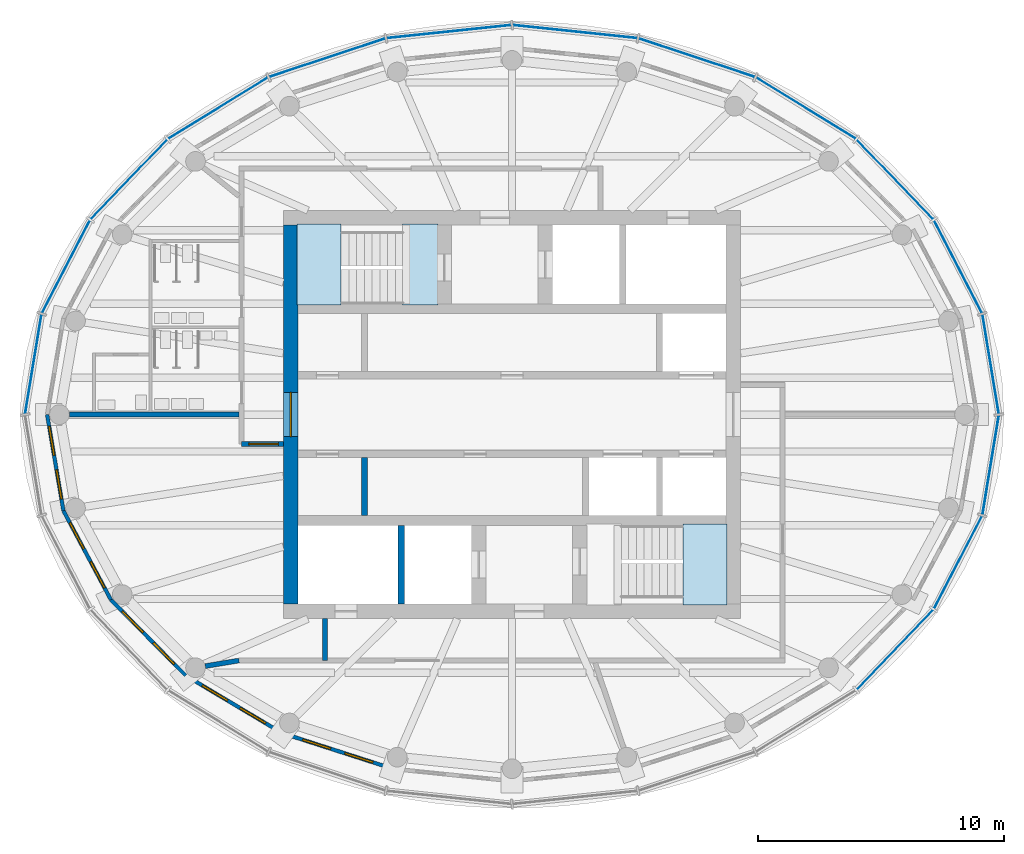
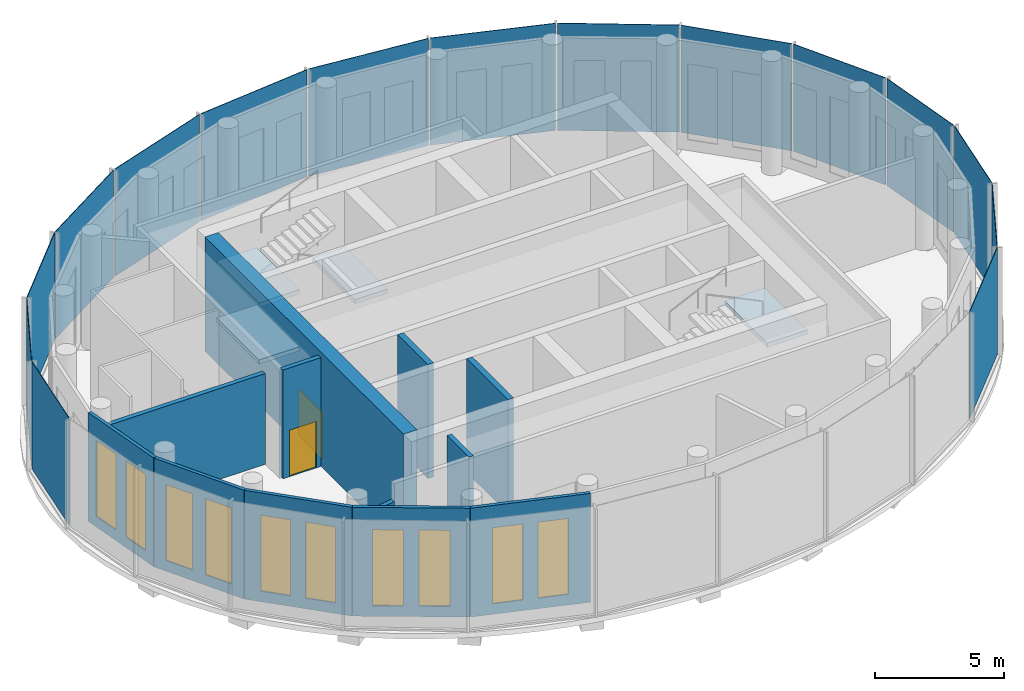
# One storey, part 4 of 11: 15 plates, 12 walls, 10 windows, 4 slabs, 2 doors, 12 openings, 5 elements without a shape of their own.
"""IFC4 building model written with IfcOpenShell, lengths in metres."""

from ifc_helpers import new_model, si_unit, direction, frame, frame_2d, origin, origin_2d, place, context, subcontext, project, spatial, polyline, rectangle, outline, extrude, material, layer, layer_set, type_object, element, fill, aggregate, save


model = new_model("IFC4")

# Units and contexts
model_context = context("Model", 3, precision=1e-05, world=origin(), true_north=direction((0.0, 1.0)))
body_context = subcontext(model_context, "Body", "Model", "MODEL_VIEW")
ifc_project = project(units=[si_unit("LENGTHUNIT", "METRE"), si_unit("AREAUNIT", "SQUARE_METRE"), si_unit("VOLUMEUNIT", "CUBIC_METRE"), si_unit("PLANEANGLEUNIT", "RADIAN"), si_unit("MASSUNIT", "GRAM", prefix="KILO")], contexts=[model_context])

# Site, building, storey
site_placement = place(None, origin())
site = spatial("IfcSite", under=ifc_project, at=site_placement, CompositionType="ELEMENT")
building_placement = place(site_placement, origin())
building = spatial("IfcBuilding", under=site, at=building_placement, Name="Hankou Lantern Tower", CompositionType="ELEMENT")
storey_placement = place(building_placement, frame((0.0, 0.0, 237.300048828125)))
storey = spatial("IfcBuildingStorey", under=building, at=storey_placement, Name="L64", CompositionType="ELEMENT", Elevation=237.300048828125)

# Curtain wall, plates
ifc_material_1 = material(Name="Glass, dark grey tinted laminated", Category="glass")
curtain_wall_type = type_object("IfcCurtainWallType", Name="CWE OUTER SKIN CROWN", PredefinedType="USERDEFINED", material=ifc_material_1)
curtain_wall_1_placement = place(storey_placement, origin())
curtain_wall_1 = element("IfcCurtainWall", 1, at=curtain_wall_1_placement, inside=storey, type_object=curtain_wall_type, Name="CWE L64 OS1", ObjectType="OUTER SKIN CROWN", PredefinedType="USERDEFINED")
ifc_material_2 = material(Name="Glass, dark grey tinted laminated", Category="glass")
ifc_layer_1 = layer(ifc_material_2, 0.028076171875)
ifc_layer_set_1 = layer_set([ifc_layer_1], Name="Glass, dark grey tinted laminated")
plate_type = type_object("IfcPlateType", Name="PN3 OUTER SKIN TALL GLASS PANEL", PredefinedType="CURTAIN_PANEL", material=ifc_layer_set_1)
plate_1_placement = place(storey_placement, frame((19.462646484375, 2.0498046875, 0.080078125), z_axis=(0.0, 0.0, 1.0), x_axis=(-0.162381515188, 0.986728049427, 0.0)))
plate_1 = element("IfcPlate", 2, at=plate_1_placement, type_object=plate_type, Name="CWE glass panel 1", PredefinedType="CURTAIN_PANEL", context=body_context, shape_type="SweptSolid", body=[
    extrude(rectangle(XDim=4.074951171875, YDim=0.028076171875, at=origin_2d()), origin(), (0.0, 0.0, 1.0), 5.070068359375),
])
plate_2_placement = place(storey_placement, frame((18.13623046875, 6.009765625, 0.080078125), z_axis=(0.0, 0.0, 1.0), x_axis=(-0.459791091957, 0.888027112062, 0.0)))
plate_2 = element("IfcPlate", 3, at=plate_2_placement, type_object=plate_type, Name="CWE glass panel 2", PredefinedType="CURTAIN_PANEL", context=body_context, shape_type="SweptSolid", body=[
    extrude(rectangle(XDim=4.221923828125, YDim=0.028076171875, at=origin_2d()), origin(), (0.0, 0.0, 1.0), 5.070068359375),
])
plate_3_placement = place(storey_placement, frame((15.573974609375, 9.560302734375, 0.080078125), z_axis=(0.0, 0.0, 1.0), x_axis=(-0.692215809936, 0.721690565599, 0.0)))
plate_3 = element("IfcPlate", 4, at=plate_3_placement, type_object=plate_type, Name="CWE glass panel 3", PredefinedType="CURTAIN_PANEL", context=body_context, shape_type="SweptSolid", body=[
    extrude(rectangle(XDim=4.465576171875, YDim=0.028076171875, at=origin_2d()), origin(), (0.0, 0.0, 1.0), 5.070068359375),
])
plate_4_placement = place(storey_placement, frame((11.950439453125, 12.459228515625, 0.080078125), z_axis=(0.0, 0.0, 1.0), x_axis=(-0.852237151549, 0.523155653242, 0.0)))
plate_4 = element("IfcPlate", 5, at=plate_4_placement, type_object=plate_type, Name="CWE glass panel 4", PredefinedType="CURTAIN_PANEL", context=body_context, shape_type="SweptSolid", body=[
    extrude(rectangle(XDim=4.731689453125, YDim=0.028076171875, at=origin_2d()), origin(), (0.0, 0.0, 1.0), 5.070068359375),
])
plate_5_placement = place(storey_placement, frame((7.51220703125, 14.509033203125, 0.080078125), z_axis=(0.0, 0.0, 1.0), x_axis=(-0.949240677293, 0.31455068999, 0.0)))
plate_5 = element("IfcPlate", 6, at=plate_5_placement, type_object=plate_type, Name="CWE glass panel 5", PredefinedType="CURTAIN_PANEL", context=body_context, shape_type="SweptSolid", body=[
    extrude(rectangle(XDim=4.95068359375, YDim=0.028076171875, at=origin_2d()), origin(), (0.0, 0.0, 1.0), 5.070068359375),
])
plate_6_placement = place(storey_placement, frame((2.562255859375, 15.570068359375, 0.080078125), z_axis=(0.0, 0.0, 1.0), x_axis=(-0.994499359107, 0.104742659579, 0.0)))
plate_6 = element("IfcPlate", 7, at=plate_6_placement, type_object=plate_type, Name="CWE glass panel 6", PredefinedType="CURTAIN_PANEL", context=body_context, shape_type="SweptSolid", body=[
    extrude(rectangle(XDim=5.072998046875, YDim=0.028076171875, at=origin_2d()), origin(), (0.0, 0.0, 1.0), 5.070068359375),
])
aggregate(curtain_wall_1, [plate_1, plate_2, plate_3, plate_4, plate_5, plate_6])

curtain_wall_2_placement = place(storey_placement, origin())
curtain_wall_2 = element("IfcCurtainWall", 8, at=curtain_wall_2_placement, inside=storey, type_object=curtain_wall_type, Name="CWE L64 OS2", ObjectType="OUTER SKIN CROWN", PredefinedType="USERDEFINED")
plate_7_placement = place(storey_placement, frame((-2.562255859375, 15.570068359375, 0.080078125), z_axis=(0.0, 0.0, 1.0), x_axis=(-0.994499359107, -0.104742659579, 0.0)))
plate_7 = element("IfcPlate", 9, at=plate_7_placement, type_object=plate_type, Name="CWE glass panel 1", PredefinedType="CURTAIN_PANEL", context=body_context, shape_type="SweptSolid", body=[
    extrude(rectangle(XDim=5.072998046875, YDim=0.028076171875, at=origin_2d()), origin(), (0.0, 0.0, 1.0), 5.070068359375),
])
plate_8_placement = place(storey_placement, frame((-7.51220703125, 14.509033203125, 0.080078125), z_axis=(0.0, 0.0, 1.0), x_axis=(-0.949240677293, -0.31455068999, 0.0)))
plate_8 = element("IfcPlate", 10, at=plate_8_placement, type_object=plate_type, Name="CWE glass panel 2", PredefinedType="CURTAIN_PANEL", context=body_context, shape_type="SweptSolid", body=[
    extrude(rectangle(XDim=4.95068359375, YDim=0.028076171875, at=origin_2d()), origin(), (0.0, 0.0, 1.0), 5.070068359375),
])
plate_9_placement = place(storey_placement, frame((-11.950439453125, 12.459228515625, 0.080078125), z_axis=(0.0, 0.0, 1.0), x_axis=(-0.852237151549, -0.523155653242, 0.0)))
plate_9 = element("IfcPlate", 11, at=plate_9_placement, type_object=plate_type, Name="CWE glass panel 3", PredefinedType="CURTAIN_PANEL", context=body_context, shape_type="SweptSolid", body=[
    extrude(rectangle(XDim=4.731689453125, YDim=0.028076171875, at=origin_2d()), origin(), (0.0, 0.0, 1.0), 5.070068359375),
])
plate_10_placement = place(storey_placement, frame((-15.573974609375, 9.560302734375, 0.080078125), z_axis=(0.0, 0.0, 1.0), x_axis=(-0.692215809936, -0.721690565599, 0.0)))
plate_10 = element("IfcPlate", 12, at=plate_10_placement, type_object=plate_type, Name="CWE glass panel 4", PredefinedType="CURTAIN_PANEL", context=body_context, shape_type="SweptSolid", body=[
    extrude(rectangle(XDim=4.465576171875, YDim=0.028076171875, at=origin_2d()), origin(), (0.0, 0.0, 1.0), 5.070068359375),
])
plate_11_placement = place(storey_placement, frame((-18.13623046875, 6.009765625, 0.080078125), z_axis=(0.0, 0.0, 1.0), x_axis=(-0.459791091957, -0.888027112062, 0.0)))
plate_11 = element("IfcPlate", 13, at=plate_11_placement, type_object=plate_type, Name="CWE glass panel 5", PredefinedType="CURTAIN_PANEL", context=body_context, shape_type="SweptSolid", body=[
    extrude(rectangle(XDim=4.221923828125, YDim=0.028076171875, at=origin_2d()), origin(), (0.0, 0.0, 1.0), 5.070068359375),
])
plate_12_placement = place(storey_placement, frame((-19.462646484375, 2.0498046875, 0.080078125), z_axis=(0.0, 0.0, 1.0), x_axis=(-0.162381515188, -0.986728049427, 0.0)))
plate_12 = element("IfcPlate", 14, at=plate_12_placement, type_object=plate_type, Name="CWE glass panel 6", PredefinedType="CURTAIN_PANEL", context=body_context, shape_type="SweptSolid", body=[
    extrude(rectangle(XDim=4.074951171875, YDim=0.028076171875, at=origin_2d()), origin(), (0.0, 0.0, 1.0), 5.070068359375),
])
aggregate(curtain_wall_2, [plate_7, plate_8, plate_9, plate_10, plate_11, plate_12])

curtain_wall_3_placement = place(storey_placement, origin())
curtain_wall_3 = element("IfcCurtainWall", 15, at=curtain_wall_3_placement, inside=storey, type_object=curtain_wall_type, Name="CWE L64 OS4", ObjectType="OUTER SKIN CROWN", PredefinedType="USERDEFINED")
plate_13_placement = place(storey_placement, frame((15.573974609375, -9.560302734375, 0.080078125), z_axis=(0.0, 0.0, 1.0), x_axis=(0.692215809936, 0.721690565599, 0.0)))
plate_13 = element("IfcPlate", 16, at=plate_13_placement, type_object=plate_type, Name="CWE glass panel 4", PredefinedType="CURTAIN_PANEL", context=body_context, shape_type="SweptSolid", body=[
    extrude(rectangle(XDim=4.465576171875, YDim=0.028076171875, at=origin_2d()), origin(), (0.0, 0.0, 1.0), 5.070068359375),
])
plate_14_placement = place(storey_placement, frame((18.13623046875, -6.009765625, 0.080078125), z_axis=(0.0, 0.0, 1.0), x_axis=(0.459791091957, 0.888027112062, 0.0)))
plate_14 = element("IfcPlate", 17, at=plate_14_placement, type_object=plate_type, Name="CWE glass panel 5", PredefinedType="CURTAIN_PANEL", context=body_context, shape_type="SweptSolid", body=[
    extrude(rectangle(XDim=4.221923828125, YDim=0.028076171875, at=origin_2d()), origin(), (0.0, 0.0, 1.0), 5.070068359375),
])
plate_15_placement = place(storey_placement, frame((19.462646484375, -2.0498046875, 0.080078125), z_axis=(0.0, 0.0, 1.0), x_axis=(0.162381515188, 0.986728049427, 0.0)))
plate_15 = element("IfcPlate", 18, at=plate_15_placement, type_object=plate_type, Name="CWE glass panel 6", PredefinedType="CURTAIN_PANEL", context=body_context, shape_type="SweptSolid", body=[
    extrude(rectangle(XDim=4.074951171875, YDim=0.028076171875, at=origin_2d()), origin(), (0.0, 0.0, 1.0), 5.070068359375),
])
aggregate(curtain_wall_3, [plate_13, plate_14, plate_15])

# Stair, slabs
ifc_material_3 = material(Name="Concrete C40", Category="concrete")
stair_type = type_object("IfcStairType", Name="ST54 CORE STAIR 5400 RISE", PredefinedType="HALF_TURN_STAIR", material=ifc_material_3)
stair_1_placement = place(storey_placement, origin())
stair_1 = element("IfcStair", 19, at=stair_1_placement, inside=storey, type_object=stair_type, Name="Stair STA L64", PredefinedType="HALF_TURN_STAIR")
ifc_material_4 = material(Name="Concrete C40", Category="concrete")
ifc_layer_2 = layer(ifc_material_4, 0.199951171875)
ifc_layer_set_2 = layer_set([ifc_layer_2], Name="Concrete C40")
slab_type = type_object("IfcSlabType", Name="SL1 STAIR LANDING 200", PredefinedType="LANDING", material=ifc_layer_set_2)
slab_1_placement = place(storey_placement, frame((0.0, 0.0, 1.14990234375)))
slab_1 = element("IfcSlab", 20, at=slab_1_placement, type_object=slab_type, Name="STA landing 1", PredefinedType="LANDING", context=body_context, shape_type="SweptSolid", body=[
    extrude(outline(polyline([(-8.75, 4.449951171875), (-6.949951171875, 4.449951171875), (-6.949951171875, 7.75), (-8.75, 7.75), (-8.75, 4.449951171875)])), origin(), (0.0, 0.0, 1.0), 0.199951171875),
])
slab_2_placement = place(storey_placement, frame((0.0, 0.0, 2.5)))
slab_2 = element("IfcSlab", 21, at=slab_2_placement, type_object=slab_type, Name="STA landing 2", PredefinedType="LANDING", context=body_context, shape_type="SweptSolid", body=[
    extrude(outline(polyline([(-4.449951171875, 4.449951171875), (-3.0, 4.449951171875), (-3.0, 7.75), (-4.449951171875, 7.75), (-4.449951171875, 4.449951171875)])), origin(), (0.0, 0.0, 1.0), 0.199951171875),
])
slab_3_placement = place(storey_placement, frame((0.0, 0.0, 3.849853515625)))
slab_3 = element("IfcSlab", 22, at=slab_3_placement, type_object=slab_type, Name="STA landing 3", PredefinedType="LANDING", context=body_context, shape_type="SweptSolid", body=[
    extrude(outline(polyline([(-8.75, 4.449951171875), (-6.949951171875, 4.449951171875), (-6.949951171875, 7.75), (-8.75, 7.75), (-8.75, 4.449951171875)])), origin(), (0.0, 0.0, 1.0), 0.2001953125),
])
aggregate(stair_1, [slab_1, slab_2, slab_3])

# Stair, slab
stair_2_placement = place(storey_placement, origin())
stair_2 = element("IfcStair", 23, at=stair_2_placement, inside=storey, type_object=stair_type, Name="Stair STB L64", PredefinedType="HALF_TURN_STAIR")
slab_4_placement = place(storey_placement, frame((0.0, 0.0, 3.849853515625)))
slab_4 = element("IfcSlab", 24, at=slab_4_placement, type_object=slab_type, Name="STB landing 3", PredefinedType="LANDING", context=body_context, shape_type="SweptSolid", body=[
    extrude(outline(polyline([(8.75, -4.449951171875), (6.949951171875, -4.449951171875), (6.949951171875, -7.75), (8.75, -7.75), (8.75, -4.449951171875)])), origin(), (0.0, 0.0, 1.0), 0.2001953125),
])
aggregate(stair_2, [slab_4])

# Wall, opening, door
ifc_material_5 = material(Name="Concrete C60", Category="concrete")
ifc_layer_3 = layer(ifc_material_5, 0.60009765625)
ifc_layer_set_3 = layer_set([ifc_layer_3], Name="Concrete C60")
wall_type_1 = type_object("IfcWallType", Name="CW3 CORE WALL 600", PredefinedType="SHEAR", material=ifc_layer_set_3)
wall_1_placement = place(storey_placement, frame((-9.0, 7.699951171875, 0.0), z_axis=(0.0, 0.0, 1.0), x_axis=(0.0, -1.0, 0.0)))
wall_1 = element("IfcWall", 25, at=wall_1_placement, inside=storey, type_object=wall_type_1, Name="Core wall west L64", PredefinedType="SHEAR", context=body_context, shape_type="SweptSolid", body=[
    extrude(rectangle(XDim=15.39990234375, YDim=0.60009765625, at=frame_2d((7.699951171875, 0.0))), origin(), (0.0, 0.0, 1.0), 5.39990234375),
])
opening_1_placement = place(wall_1_placement, frame((6.800048828125, 0.0, 0.0)))
opening_1 = element("IfcOpeningElement", 26, at=opening_1_placement, cuts=wall_1, Name="Opening D6", PredefinedType="OPENING", context=body_context, shape_type="SweptSolid", body=[
    extrude(rectangle(XDim=1.800048828125, YDim=2.199951171875, at=frame_2d((0.89990234375, 1.10009765625))), frame((0.0, 0.31005859375, 0.0), z_axis=(0.0, -1.0, 0.0), x_axis=(1.0, 0.0, 0.0)), (0.0, 0.0, 1.0), 0.6201171875),
])
ifc_material_6 = material(Name="Steel door leaf", Category="steel")
door_type_1 = type_object("IfcDoorType", Name="D6 LIFT LOBBY DOOR 1800X2200", OperationType="DOUBLE_DOOR_DOUBLE_SWING", PredefinedType="DOOR", material=ifc_material_6)
door_1_placement = place(opening_1_placement, origin())
door_1 = element("IfcDoor", 27, at=door_1_placement, inside=storey, type_object=door_type_1, Name="Lift lobby west door", OperationType="DOUBLE_DOOR_DOUBLE_SWING", OverallHeight=2.199951171875, OverallWidth=1.800048828125, PredefinedType="DOOR", context=body_context, shape_type="SweptSolid", body=[
    extrude(rectangle(XDim=1.800048828125, YDim=2.199951171875, at=frame_2d((0.89990234375, 1.10009765625))), frame((0.0, 0.02490234375, 0.0), z_axis=(0.0, -1.0, 0.0), x_axis=(1.0, 0.0, 0.0)), (0.0, 0.0, 1.0), 0.050048828125),
])
fill(opening_1, door_1)

# Wall, openings, windows
ifc_material_7 = material(Name="Aluminium spandrel panel on steel studs", Category="steel")
ifc_layer_4 = layer(ifc_material_7, 0.14990234375)
ifc_layer_set_4 = layer_set([ifc_layer_4], Name="Aluminium spandrel panel on steel studs")
wall_type_2 = type_object("IfcWallType", Name="EW1 INNER SKIN WALL 150", PredefinedType="ELEMENTEDWALL", material=ifc_layer_set_4)
wall_2_placement = place(storey_placement, frame((-18.89990234375, 0.0, 0.0), z_axis=(0.0, 0.0, 1.0), x_axis=(0.166984464914, -0.985959526795, 0.0)))
wall_2 = element("IfcWall", 28, at=wall_2_placement, inside=storey, type_object=wall_type_2, Name="Inner skin R13-R14 L64", PredefinedType="ELEMENTEDWALL", context=body_context, shape_type="SweptSolid", body=[
    extrude(rectangle(XDim=3.965087890625, YDim=0.14990234375, at=frame_2d((1.982421875, 0.0))), origin(), (0.0, 0.0, 1.0), 5.14990234375),
])
opening_2_placement = place(wall_2_placement, frame((0.482666015625, 0.0, 0.5)))
opening_2 = element("IfcOpeningElement", 29, at=opening_2_placement, cuts=wall_2, Name="Opening W7", PredefinedType="OPENING", context=body_context, shape_type="SweptSolid", body=[
    extrude(rectangle(XDim=1.199951171875, YDim=3.60009765625, at=frame_2d((0.60009765625, 1.800048828125))), frame((0.0, 0.0849609375, 0.0), z_axis=(0.0, -1.0, 0.0), x_axis=(1.0, 0.0, 0.0)), (0.0, 0.0, 1.0), 0.169921875),
])
opening_3_placement = place(wall_2_placement, frame((2.282470703125, 0.0, 0.5)))
opening_3 = element("IfcOpeningElement", 30, at=opening_3_placement, cuts=wall_2, Name="Opening W7", PredefinedType="OPENING", context=body_context, shape_type="SweptSolid", body=[
    extrude(rectangle(XDim=1.199951171875, YDim=3.60009765625, at=frame_2d((0.60009765625, 1.800048828125))), frame((0.0, 0.0849609375, 0.0), z_axis=(0.0, -1.0, 0.0), x_axis=(1.0, 0.0, 0.0)), (0.0, 0.0, 1.0), 0.169921875),
])
ifc_material_8 = material(Name="Aluminium framed double glazed window", Category="aluminium")
window_type = type_object("IfcWindowType", Name="W7 RESTAURANT WINDOW 1200X3600", PartitioningType="DOUBLE_PANEL_VERTICAL", PredefinedType="WINDOW", material=ifc_material_8)
window_1_placement = place(opening_2_placement, origin())
window_1 = element("IfcWindow", 31, at=window_1_placement, inside=storey, type_object=window_type, Name="Window R13.1 L64", OverallHeight=3.60009765625, OverallWidth=1.199951171875, PartitioningType="SINGLE_PANEL", PredefinedType="WINDOW", context=body_context, shape_type="SweptSolid", body=[
    extrude(rectangle(XDim=1.199951171875, YDim=3.60009765625, at=frame_2d((0.60009765625, 1.800048828125))), frame((0.0, 0.030029296875, 0.0), z_axis=(0.0, -1.0, 0.0), x_axis=(1.0, 0.0, 0.0)), (0.0, 0.0, 1.0), 0.06005859375),
])
fill(opening_2, window_1)
window_2_placement = place(opening_3_placement, origin())
window_2 = element("IfcWindow", 32, at=window_2_placement, inside=storey, type_object=window_type, Name="Window R13.2 L64", OverallHeight=3.60009765625, OverallWidth=1.199951171875, PartitioningType="SINGLE_PANEL", PredefinedType="WINDOW", context=body_context, shape_type="SweptSolid", body=[
    extrude(rectangle(XDim=1.199951171875, YDim=3.60009765625, at=frame_2d((0.60009765625, 1.800048828125))), frame((0.0, 0.030029296875, 0.0), z_axis=(0.0, -1.0, 0.0), x_axis=(1.0, 0.0, 0.0)), (0.0, 0.0, 1.0), 0.06005859375),
])
fill(opening_3, window_2)

wall_3_placement = place(storey_placement, frame((-18.23779296875, -3.909423828125, 0.0), z_axis=(0.0, 0.0, 1.0), x_axis=(0.470282591286, -0.882515883332, 0.0)))
wall_3 = element("IfcWall", 33, at=wall_3_placement, inside=storey, type_object=wall_type_2, Name="Inner skin R14-R15 L64", PredefinedType="ELEMENTEDWALL", context=body_context, shape_type="SweptSolid", body=[
    extrude(rectangle(XDim=4.104736328125, YDim=0.14990234375, at=frame_2d((2.05224609375, 0.0))), origin(), (0.0, 0.0, 1.0), 5.14990234375),
])
opening_4_placement = place(wall_3_placement, frame((0.552490234375, 0.0, 0.5)))
opening_4 = element("IfcOpeningElement", 34, at=opening_4_placement, cuts=wall_3, Name="Opening W7", PredefinedType="OPENING", context=body_context, shape_type="SweptSolid", body=[
    extrude(rectangle(XDim=1.199951171875, YDim=3.60009765625, at=frame_2d((0.60009765625, 1.800048828125))), frame((0.0, 0.0849609375, 0.0), z_axis=(0.0, -1.0, 0.0), x_axis=(1.0, 0.0, 0.0)), (0.0, 0.0, 1.0), 0.169921875),
])
opening_5_placement = place(wall_3_placement, frame((2.3525390625, 0.0, 0.5)))
opening_5 = element("IfcOpeningElement", 35, at=opening_5_placement, cuts=wall_3, Name="Opening W7", PredefinedType="OPENING", context=body_context, shape_type="SweptSolid", body=[
    extrude(rectangle(XDim=1.199951171875, YDim=3.60009765625, at=frame_2d((0.60009765625, 1.800048828125))), frame((0.0, 0.0849609375, 0.0), z_axis=(0.0, -1.0, 0.0), x_axis=(1.0, 0.0, 0.0)), (0.0, 0.0, 1.0), 0.169921875),
])
window_3_placement = place(opening_4_placement, origin())
window_3 = element("IfcWindow", 36, at=window_3_placement, inside=storey, type_object=window_type, Name="Window R14.1 L64", OverallHeight=3.60009765625, OverallWidth=1.199951171875, PartitioningType="SINGLE_PANEL", PredefinedType="WINDOW", context=body_context, shape_type="SweptSolid", body=[
    extrude(rectangle(XDim=1.199951171875, YDim=3.60009765625, at=frame_2d((0.60009765625, 1.800048828125))), frame((0.0, 0.030029296875, 0.0), z_axis=(0.0, -1.0, 0.0), x_axis=(1.0, 0.0, 0.0)), (0.0, 0.0, 1.0), 0.06005859375),
])
fill(opening_4, window_3)
window_4_placement = place(opening_5_placement, origin())
window_4 = element("IfcWindow", 37, at=window_4_placement, inside=storey, type_object=window_type, Name="Window R14.2 L64", OverallHeight=3.60009765625, OverallWidth=1.199951171875, PartitioningType="SINGLE_PANEL", PredefinedType="WINDOW", context=body_context, shape_type="SweptSolid", body=[
    extrude(rectangle(XDim=1.199951171875, YDim=3.60009765625, at=frame_2d((0.60009765625, 1.800048828125))), frame((0.0, 0.030029296875, 0.0), z_axis=(0.0, -1.0, 0.0), x_axis=(1.0, 0.0, 0.0)), (0.0, 0.0, 1.0), 0.06005859375),
])
fill(opening_5, window_4)

wall_4_placement = place(storey_placement, frame((-16.307373046875, -7.531982421875, 0.0), z_axis=(0.0, 0.0, 1.0), x_axis=(0.702523956258, -0.711660095048, 0.0)))
wall_4 = element("IfcWall", 38, at=wall_4_placement, inside=storey, type_object=wall_type_2, Name="Inner skin R15-R16 L64", PredefinedType="ELEMENTEDWALL", context=body_context, shape_type="SweptSolid", body=[
    extrude(rectangle(XDim=4.3291015625, YDim=0.14990234375, at=frame_2d((2.16455078125, 0.0))), origin(), (0.0, 0.0, 1.0), 5.14990234375),
])
opening_6_placement = place(wall_4_placement, frame((0.66455078125, 0.0, 0.5)))
opening_6 = element("IfcOpeningElement", 39, at=opening_6_placement, cuts=wall_4, Name="Opening W7", PredefinedType="OPENING", context=body_context, shape_type="SweptSolid", body=[
    extrude(rectangle(XDim=1.199951171875, YDim=3.60009765625, at=frame_2d((0.60009765625, 1.800048828125))), frame((0.0, 0.0849609375, 0.0), z_axis=(0.0, -1.0, 0.0), x_axis=(1.0, 0.0, 0.0)), (0.0, 0.0, 1.0), 0.169921875),
])
opening_7_placement = place(wall_4_placement, frame((2.464599609375, 0.0, 0.5)))
opening_7 = element("IfcOpeningElement", 40, at=opening_7_placement, cuts=wall_4, Name="Opening W7", PredefinedType="OPENING", context=body_context, shape_type="SweptSolid", body=[
    extrude(rectangle(XDim=1.199951171875, YDim=3.60009765625, at=frame_2d((0.60009765625, 1.800048828125))), frame((0.0, 0.0849609375, 0.0), z_axis=(0.0, -1.0, 0.0), x_axis=(1.0, 0.0, 0.0)), (0.0, 0.0, 1.0), 0.169921875),
])
window_5_placement = place(opening_6_placement, origin())
window_5 = element("IfcWindow", 41, at=window_5_placement, inside=storey, type_object=window_type, Name="Window R15.1 L64", OverallHeight=3.60009765625, OverallWidth=1.199951171875, PartitioningType="SINGLE_PANEL", PredefinedType="WINDOW", context=body_context, shape_type="SweptSolid", body=[
    extrude(rectangle(XDim=1.199951171875, YDim=3.60009765625, at=frame_2d((0.60009765625, 1.800048828125))), frame((0.0, 0.030029296875, 0.0), z_axis=(0.0, -1.0, 0.0), x_axis=(1.0, 0.0, 0.0)), (0.0, 0.0, 1.0), 0.06005859375),
])
fill(opening_6, window_5)
window_6_placement = place(opening_7_placement, origin())
window_6 = element("IfcWindow", 42, at=window_6_placement, inside=storey, type_object=window_type, Name="Window R15.2 L64", OverallHeight=3.60009765625, OverallWidth=1.199951171875, PartitioningType="SINGLE_PANEL", PredefinedType="WINDOW", context=body_context, shape_type="SweptSolid", body=[
    extrude(rectangle(XDim=1.199951171875, YDim=3.60009765625, at=frame_2d((0.60009765625, 1.800048828125))), frame((0.0, 0.030029296875, 0.0), z_axis=(0.0, -1.0, 0.0), x_axis=(1.0, 0.0, 0.0)), (0.0, 0.0, 1.0), 0.06005859375),
])
fill(opening_7, window_6)

wall_5_placement = place(storey_placement, frame((-13.26611328125, -10.61279296875, 0.0), z_axis=(0.0, 0.0, 1.0), x_axis=(0.858849230109, -0.512228464594, 0.0)))
wall_5 = element("IfcWall", 43, at=wall_5_placement, inside=storey, type_object=wall_type_2, Name="Inner skin R16-R17 L64", PredefinedType="ELEMENTEDWALL", context=body_context, shape_type="SweptSolid", body=[
    extrude(rectangle(XDim=4.564208984375, YDim=0.14990234375, at=frame_2d((2.2822265625, 0.0))), origin(), (0.0, 0.0, 1.0), 5.14990234375),
])
opening_8_placement = place(wall_5_placement, frame((0.781982421875, 0.0, 0.5)))
opening_8 = element("IfcOpeningElement", 44, at=opening_8_placement, cuts=wall_5, Name="Opening W7", PredefinedType="OPENING", context=body_context, shape_type="SweptSolid", body=[
    extrude(rectangle(XDim=1.199951171875, YDim=3.60009765625, at=frame_2d((0.60009765625, 1.800048828125))), frame((0.0, 0.0849609375, 0.0), z_axis=(0.0, -1.0, 0.0), x_axis=(1.0, 0.0, 0.0)), (0.0, 0.0, 1.0), 0.169921875),
])
opening_9_placement = place(wall_5_placement, frame((2.58203125, 0.0, 0.5)))
opening_9 = element("IfcOpeningElement", 45, at=opening_9_placement, cuts=wall_5, Name="Opening W7", PredefinedType="OPENING", context=body_context, shape_type="SweptSolid", body=[
    extrude(rectangle(XDim=1.199951171875, YDim=3.60009765625, at=frame_2d((0.60009765625, 1.800048828125))), frame((0.0, 0.0849609375, 0.0), z_axis=(0.0, -1.0, 0.0), x_axis=(1.0, 0.0, 0.0)), (0.0, 0.0, 1.0), 0.169921875),
])
window_7_placement = place(opening_8_placement, origin())
window_7 = element("IfcWindow", 46, at=window_7_placement, inside=storey, type_object=window_type, Name="Window R16.1 L64", OverallHeight=3.60009765625, OverallWidth=1.199951171875, PartitioningType="SINGLE_PANEL", PredefinedType="WINDOW", context=body_context, shape_type="SweptSolid", body=[
    extrude(rectangle(XDim=1.199951171875, YDim=3.60009765625, at=frame_2d((0.60009765625, 1.800048828125))), frame((0.0, 0.030029296875, 0.0), z_axis=(0.0, -1.0, 0.0), x_axis=(1.0, 0.0, 0.0)), (0.0, 0.0, 1.0), 0.06005859375),
])
fill(opening_8, window_7)
window_8_placement = place(opening_9_placement, origin())
window_8 = element("IfcWindow", 47, at=window_8_placement, inside=storey, type_object=window_type, Name="Window R16.2 L64", OverallHeight=3.60009765625, OverallWidth=1.199951171875, PartitioningType="SINGLE_PANEL", PredefinedType="WINDOW", context=body_context, shape_type="SweptSolid", body=[
    extrude(rectangle(XDim=1.199951171875, YDim=3.60009765625, at=frame_2d((0.60009765625, 1.800048828125))), frame((0.0, 0.030029296875, 0.0), z_axis=(0.0, -1.0, 0.0), x_axis=(1.0, 0.0, 0.0)), (0.0, 0.0, 1.0), 0.06005859375),
])
fill(opening_9, window_8)

wall_6_placement = place(storey_placement, frame((-9.34619140625, -12.95068359375, 0.0), z_axis=(0.0, 0.0, 1.0), x_axis=(0.951881908824, -0.306465057804, 0.0)))
wall_6 = element("IfcWall", 48, at=wall_6_placement, inside=storey, type_object=wall_type_2, Name="Inner skin R17-R18 L64", PredefinedType="ELEMENTEDWALL", context=body_context, shape_type="SweptSolid", body=[
    extrude(rectangle(XDim=4.74951171875, YDim=0.14990234375, at=frame_2d((2.374755859375, 0.0))), origin(), (0.0, 0.0, 1.0), 5.14990234375),
])
opening_10_placement = place(wall_6_placement, frame((0.874755859375, 0.0, 0.5)))
opening_10 = element("IfcOpeningElement", 49, at=opening_10_placement, cuts=wall_6, Name="Opening W7", PredefinedType="OPENING", context=body_context, shape_type="SweptSolid", body=[
    extrude(rectangle(XDim=1.199951171875, YDim=3.60009765625, at=frame_2d((0.60009765625, 1.800048828125))), frame((0.0, 0.0849609375, 0.0), z_axis=(0.0, -1.0, 0.0), x_axis=(1.0, 0.0, 0.0)), (0.0, 0.0, 1.0), 0.169921875),
])
opening_11_placement = place(wall_6_placement, frame((2.6748046875, 0.0, 0.5)))
opening_11 = element("IfcOpeningElement", 50, at=opening_11_placement, cuts=wall_6, Name="Opening W7", PredefinedType="OPENING", context=body_context, shape_type="SweptSolid", body=[
    extrude(rectangle(XDim=1.199951171875, YDim=3.60009765625, at=frame_2d((0.60009765625, 1.800048828125))), frame((0.0, 0.0849609375, 0.0), z_axis=(0.0, -1.0, 0.0), x_axis=(1.0, 0.0, 0.0)), (0.0, 0.0, 1.0), 0.169921875),
])
window_9_placement = place(opening_10_placement, origin())
window_9 = element("IfcWindow", 51, at=window_9_placement, inside=storey, type_object=window_type, Name="Window R17.1 L64", OverallHeight=3.60009765625, OverallWidth=1.199951171875, PartitioningType="SINGLE_PANEL", PredefinedType="WINDOW", context=body_context, shape_type="SweptSolid", body=[
    extrude(rectangle(XDim=1.199951171875, YDim=3.60009765625, at=frame_2d((0.60009765625, 1.800048828125))), frame((0.0, 0.030029296875, 0.0), z_axis=(0.0, -1.0, 0.0), x_axis=(1.0, 0.0, 0.0)), (0.0, 0.0, 1.0), 0.06005859375),
])
fill(opening_10, window_9)
window_10_placement = place(opening_11_placement, origin())
window_10 = element("IfcWindow", 52, at=window_10_placement, inside=storey, type_object=window_type, Name="Window R17.2 L64", OverallHeight=3.60009765625, OverallWidth=1.199951171875, PartitioningType="SINGLE_PANEL", PredefinedType="WINDOW", context=body_context, shape_type="SweptSolid", body=[
    extrude(rectangle(XDim=1.199951171875, YDim=3.60009765625, at=frame_2d((0.60009765625, 1.800048828125))), frame((0.0, 0.030029296875, 0.0), z_axis=(0.0, -1.0, 0.0), x_axis=(1.0, 0.0, 0.0)), (0.0, 0.0, 1.0), 0.06005859375),
])
fill(opening_11, window_10)

# Wall
ifc_material_9 = material(Name="Masonry lightweight concrete block", Category="masonry")
ifc_layer_5 = layer(ifc_material_9, 0.199951171875)
ifc_layer_set_5 = layer_set([ifc_layer_5], Name="Masonry lightweight concrete block")
wall_type_3 = type_object("IfcWallType", Name="IW8 PARTITION 200", PredefinedType="PARTITIONING", material=ifc_layer_set_5)
wall_7_placement = place(storey_placement, frame((-11.10009765625, 0.0, 0.0), z_axis=(0.0, 0.0, 1.0), x_axis=(-1.0, 0.0, 0.0)))
element("IfcWall", 53, at=wall_7_placement, inside=storey, type_object=wall_type_3, Name="Partition R13", PredefinedType="PARTITIONING", context=body_context, shape_type="SweptSolid", body=[
    extrude(rectangle(XDim=6.89990234375, YDim=0.199951171875, at=frame_2d((3.449951171875, 0.0))), origin(), (0.0, 0.0, 1.0), 4.300048828125),
])

# Wall, opening, door
wall_8_placement = place(storey_placement, frame((-9.300048828125, -1.199951171875, 0.0), z_axis=(0.0, 0.0, 1.0), x_axis=(-1.0, 0.0, 0.0)))
wall_8 = element("IfcWall", 54, at=wall_8_placement, inside=storey, type_object=wall_type_3, Name="Partition west ring", PredefinedType="PARTITIONING", context=body_context, shape_type="SweptSolid", body=[
    extrude(rectangle(XDim=1.699951171875, YDim=0.199951171875, at=frame_2d((0.85009765625, 0.0))), origin(), (0.0, 0.0, 1.0), 5.14990234375),
])
opening_12_placement = place(wall_8_placement, frame((0.199951171875, 0.0, 0.0)))
opening_12 = element("IfcOpeningElement", 55, at=opening_12_placement, cuts=wall_8, Name="Opening D24", PredefinedType="OPENING", context=body_context, shape_type="SweptSolid", body=[
    extrude(rectangle(XDim=1.199951171875, YDim=2.199951171875, at=frame_2d((0.60009765625, 1.10009765625))), frame((0.0, 0.10986328125, 0.0), z_axis=(0.0, -1.0, 0.0), x_axis=(1.0, 0.0, 0.0)), (0.0, 0.0, 1.0), 0.219970703125),
])
ifc_material_10 = material(Name="Timber door leaf", Category="wood")
door_type_2 = type_object("IfcDoorType", Name="D24 WIDE ROOM DOOR 1200X2200", OperationType="SINGLE_SWING_LEFT", PredefinedType="DOOR", material=ifc_material_10)
door_2_placement = place(opening_12_placement, origin())
door_2 = element("IfcDoor", 56, at=door_2_placement, inside=storey, type_object=door_type_2, Name="Chef's table private dining room door", OperationType="SINGLE_SWING_LEFT", OverallHeight=2.199951171875, OverallWidth=1.199951171875, PredefinedType="DOOR", context=body_context, shape_type="SweptSolid", body=[
    extrude(rectangle(XDim=1.199951171875, YDim=2.199951171875, at=frame_2d((0.60009765625, 1.10009765625))), frame((0.0, 0.02490234375, 0.0), z_axis=(0.0, -1.0, 0.0), x_axis=(1.0, 0.0, 0.0)), (0.0, 0.0, 1.0), 0.050048828125),
])
fill(opening_12, door_2)

# Walls
wall_9_placement = place(storey_placement, frame((-7.60009765625, -8.300048828125, 0.0), z_axis=(0.0, 0.0, 1.0), x_axis=(0.0, -1.0, 0.0)))
element("IfcWall", 57, at=wall_9_placement, inside=storey, type_object=wall_type_3, Name="Partition south ring", PredefinedType="PARTITIONING", context=body_context, shape_type="SweptSolid", body=[
    extrude(rectangle(XDim=1.699951171875, YDim=0.199951171875, at=frame_2d((0.85009765625, 0.0))), origin(), (0.0, 0.0, 1.0), 5.14990234375),
])
wall_10_placement = place(storey_placement, frame((-11.10009765625, -10.0, 0.0), z_axis=(0.0, 0.0, 1.0), x_axis=(-0.986474439415, -0.163915162144, 0.0)))
element("IfcWall", 58, at=wall_10_placement, inside=storey, type_object=wall_type_3, Name="Partition south-west", PredefinedType="PARTITIONING", context=body_context, shape_type="SweptSolid", body=[
    extrude(rectangle(XDim=1.39111328125, YDim=0.199951171875, at=frame_2d((0.695556640625, 0.0))), origin(), (0.0, 0.0, 1.0), 4.300048828125),
])
ifc_material_11 = material(Name="Masonry autoclaved aerated concrete block", Category="masonry")
ifc_layer_6 = layer(ifc_material_11, 0.25)
ifc_layer_set_6 = layer_set([ifc_layer_6], Name="Masonry autoclaved aerated concrete block")
wall_type_4 = type_object("IfcWallType", Name="SW1 SHAFT BLOCK WALL 250", PredefinedType="PARTITIONING", material=ifc_layer_set_6)
wall_11_placement = place(storey_placement, frame((-4.5, -7.699951171875, 0.0), z_axis=(0.0, 0.0, 1.0), x_axis=(0.0, 1.0, 0.0)))
element("IfcWall", 59, at=wall_11_placement, inside=storey, type_object=wall_type_4, Name="Riser wall L64", PredefinedType="PARTITIONING", context=body_context, shape_type="SweptSolid", body=[
    extrude(rectangle(XDim=3.199951171875, YDim=0.25, at=frame_2d((1.60009765625, 0.0))), origin(), (0.0, 0.0, 1.0), 5.39990234375),
])
wall_12_placement = place(storey_placement, frame((-6.0, -4.10009765625, 0.0), z_axis=(0.0, 0.0, 1.0), x_axis=(0.0, 1.0, 0.0)))
element("IfcWall", 60, at=wall_12_placement, inside=storey, type_object=wall_type_4, Name="Lift shaft wall L64", PredefinedType="PARTITIONING", context=body_context, shape_type="SweptSolid", body=[
    extrude(rectangle(XDim=2.35009765625, YDim=0.25, at=frame_2d((1.175048828125, 0.0))), origin(), (0.0, 0.0, 1.0), 5.39990234375),
])

save(model, "model.ifc")
